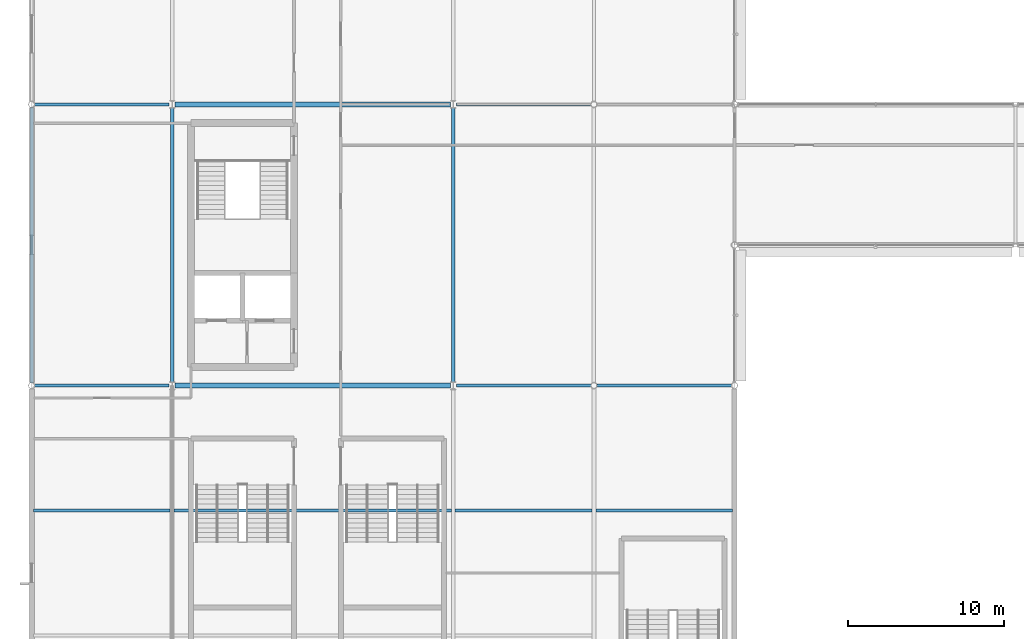
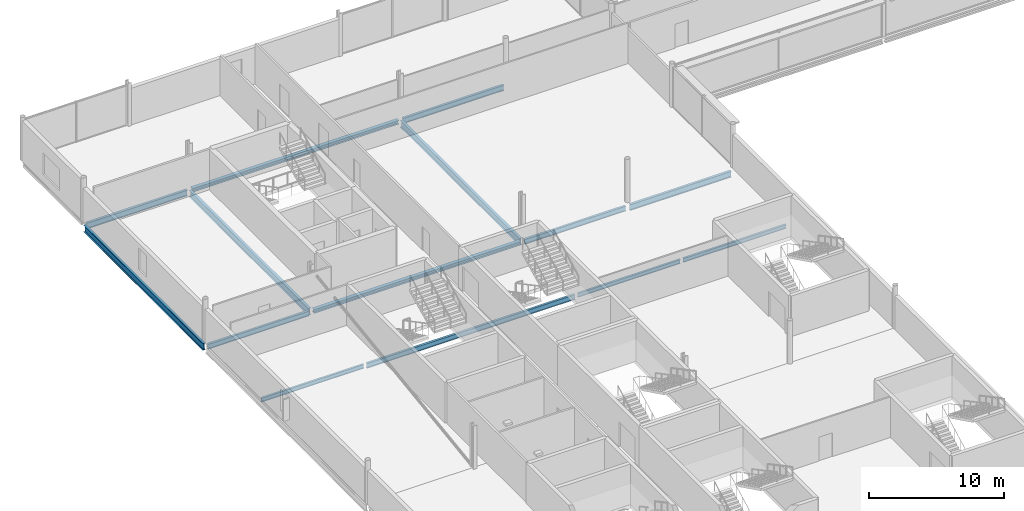
# One storey, part 30 of 96: 14 beams.
"""IFC4 building model written with IfcOpenShell, lengths in metres."""

from ifc_helpers import new_model, si_unit, direction, frame, origin, origin_2d, place, context, subcontext, project, spatial, i_section, extrude, material, material_profile, profile_set, type_object, element, save


model = new_model("IFC4")

# Units and contexts
model_context = context("Model", 3, precision=1e-05, world=origin(), true_north=direction((0.0, 1.0)))
body_context = subcontext(model_context, "Body", "Model", "MODEL_VIEW")
ifc_project = project(units=[si_unit("LENGTHUNIT", "METRE"), si_unit("AREAUNIT", "SQUARE_METRE"), si_unit("VOLUMEUNIT", "CUBIC_METRE"), si_unit("PLANEANGLEUNIT", "RADIAN"), si_unit("MASSUNIT", "GRAM", prefix="KILO")], contexts=[model_context])

# Site, building, storey
site_placement = place(None, origin())
site = spatial("IfcSite", under=ifc_project, at=site_placement, CompositionType="ELEMENT")
building_placement = place(site_placement, origin())
building = spatial("IfcBuilding", under=site, at=building_placement, Name="Kisiwana Market Hall", CompositionType="ELEMENT")
storey_placement = place(building_placement, frame((0.0, 0.0, 25.5)))
storey = spatial("IfcBuildingStorey", under=building, at=storey_placement, Name="L05", CompositionType="ELEMENT", Elevation=25.5)

# Beams
ifc_material_1 = material(Name="Steel S355", Category="steel")
ifc_material_profile_1 = material_profile(ifc_material_1, i_section(OverallWidth=0.199951171875, OverallDepth=0.5, WebThickness=0.01025390625, FlangeThickness=0.01611328125, FilletRadius=0.02099609375, at=origin_2d()), Name="IPE 500")
ifc_profile_set_1 = profile_set([ifc_material_profile_1], Name="Steel S355")
beam_type_1 = type_object("IfcBeamType", Name="BM-GIRD-IPE500", PredefinedType="BEAM", material=ifc_profile_set_1)
beam_1_placement = place(storey_placement, frame((27.193359375, 102.0, -0.56494140625), z_axis=(1.0, 0.0, 0.0), x_axis=(0.0, 1.0, 0.0)))
element("IfcBeam", 1, at=beam_1_placement, inside=storey, type_object=beam_type_1, Name="Floor beam B-1649", PredefinedType="BEAM", context=body_context, shape_type="SweptSolid", body=[
    extrude(i_section(OverallWidth=0.199951171875, OverallDepth=0.5, WebThickness=0.01025390625, FlangeThickness=0.01611328125, FilletRadius=0.02099609375, at=origin_2d()), origin(), (0.0, 0.0, 1.0), 8.624267578125),
])
ifc_material_2 = material(Name="Steel S355", Category="steel")
ifc_material_profile_2 = material_profile(ifc_material_2, i_section(OverallWidth=0.2099609375, OverallDepth=0.550048828125, WebThickness=0.010986328125, FlangeThickness=0.01708984375, FilletRadius=0.02392578125, at=origin_2d()), Name="IPE 550")
ifc_profile_set_2 = profile_set([ifc_material_profile_2], Name="Steel S355")
beam_type_2 = type_object("IfcBeamType", Name="BM-GIRD-IPE550", PredefinedType="BEAM", material=ifc_profile_set_2)
beam_2_placement = place(storey_placement, frame((36.182373046875, 84.0, -0.590087890625), z_axis=(1.0, 0.0, 0.0), x_axis=(0.0, 1.0, 0.0)))
element("IfcBeam", 2, at=beam_2_placement, inside=storey, type_object=beam_type_2, Name="Floor beam B-1636", PredefinedType="BEAM", context=body_context, shape_type="SweptSolid", body=[
    extrude(i_section(OverallWidth=0.2099609375, OverallDepth=0.550048828125, WebThickness=0.010986328125, FlangeThickness=0.01708984375, FilletRadius=0.02392578125, at=origin_2d()), origin(), (0.0, 0.0, 1.0), 8.63525390625),
])
ifc_material_3 = material(Name="Steel S355", Category="steel")
ifc_material_profile_3 = material_profile(ifc_material_3, i_section(OverallWidth=0.19140625, OverallDepth=0.4599609375, WebThickness=0.010009765625, FlangeThickness=0.01611328125, at=origin_2d()), Name="UB 457x191x82")
ifc_profile_set_3 = profile_set([ifc_material_profile_3], Name="Steel S355")
beam_type_3 = type_object("IfcBeamType", Name="BM-GIRD-UB082", PredefinedType="BEAM", material=ifc_profile_set_3)
beam_3_placement = place(storey_placement, frame((27.193359375, 84.0, -0.544921875), z_axis=(1.0, 0.0, 0.0), x_axis=(0.0, 1.0, 0.0)))
element("IfcBeam", 3, at=beam_3_placement, inside=storey, type_object=beam_type_3, Name="Floor beam B-1635", PredefinedType="BEAM", context=body_context, shape_type="SweptSolid", body=[
    extrude(i_section(OverallWidth=0.19140625, OverallDepth=0.4599609375, WebThickness=0.010009765625, FlangeThickness=0.01611328125, at=origin_2d()), origin(), (0.0, 0.0, 1.0), 8.624267578125),
])
ifc_material_4 = material(Name="Steel S355", Category="steel")
ifc_material_profile_4 = material_profile(ifc_material_4, i_section(OverallWidth=0.210693359375, OverallDepth=0.53955078125, WebThickness=0.01171875, FlangeThickness=0.018798828125, FilletRadius=0.0126953125, at=origin_2d()), Name="UB 533x210x109")
ifc_profile_set_4 = profile_set([ifc_material_profile_4], Name="Steel S355")
beam_type_4 = type_object("IfcBeamType", Name="BM-GIRD-UB109", PredefinedType="BEAM", material=ifc_profile_set_4)
beam_4_placement = place(storey_placement, frame((0.182373046875, 102.0, -0.584716796875), z_axis=(1.0, 0.0, 0.0), x_axis=(0.0, 1.0, 0.0)))
element("IfcBeam", 4, at=beam_4_placement, inside=storey, type_object=beam_type_4, Name="Floor beam B-1647", PredefinedType="BEAM", context=body_context, shape_type="SweptSolid", body=[
    extrude(i_section(OverallWidth=0.210693359375, OverallDepth=0.53955078125, WebThickness=0.01171875, FlangeThickness=0.018798828125, FilletRadius=0.0126953125, at=origin_2d()), origin(), (0.0, 0.0, 1.0), 8.624267578125),
])
ifc_material_5 = material(Name="Steel S355", Category="steel")
ifc_material_profile_5 = material_profile(ifc_material_5, i_section(OverallWidth=0.19140625, OverallDepth=0.4599609375, WebThickness=0.010009765625, FlangeThickness=0.01611328125, at=origin_2d()), Name="UB 457x191x82")
ifc_profile_set_5 = profile_set([ifc_material_profile_5], Name="Steel S355")
beam_type_5 = type_object("IfcBeamType", Name="BM-GIRD-UB457H", PredefinedType="BEAM", material=ifc_profile_set_5)
beam_5_placement = place(storey_placement, frame((0.182373046875, 84.0, -0.544921875), z_axis=(1.0, 0.0, 0.0), x_axis=(0.0, 1.0, 0.0)))
element("IfcBeam", 5, at=beam_5_placement, inside=storey, type_object=beam_type_5, Name="Floor beam B-1633", PredefinedType="BEAM", context=body_context, shape_type="SweptSolid", body=[
    extrude(i_section(OverallWidth=0.19140625, OverallDepth=0.4599609375, WebThickness=0.010009765625, FlangeThickness=0.01611328125, at=origin_2d()), origin(), (0.0, 0.0, 1.0), 8.624267578125),
])
ifc_material_6 = material(Name="Steel S355", Category="steel")
ifc_material_profile_6 = material_profile(ifc_material_6, i_section(OverallWidth=0.22900390625, OverallDepth=0.6123046875, WebThickness=0.011962890625, FlangeThickness=0.01953125, at=origin_2d()), Name="UB 610x229x125")
ifc_profile_set_6 = profile_set([ifc_material_profile_6], Name="Steel S355")
beam_type_6 = type_object("IfcBeamType", Name="BM-GIRD-UB610H", PredefinedType="BEAM", material=ifc_profile_set_6)
beam_6_placement = place(storey_placement, frame((0.0, 84.18017578125, -0.62109375), z_axis=(0.0, 1.0, 0.0), x_axis=(-1.0, 0.0, 0.0)))
element("IfcBeam", 6, at=beam_6_placement, inside=storey, type_object=beam_type_6, Name="Floor beam B-1673", PredefinedType="BEAM", context=body_context, shape_type="SweptSolid", body=[
    extrude(i_section(OverallWidth=0.22900390625, OverallDepth=0.6123046875, WebThickness=0.011962890625, FlangeThickness=0.01953125, at=origin_2d()), origin(), (0.0, 0.0, 1.0), 17.6396484375),
])
for number, where, z_axis, x_axis, name in (
    (7, (9.0, 84.1865234375, -0.62109375), (0.0, 1.0, 0.0), (-1.0, 0.0, 0.0), "Primary girder B-1525"),
    (8, (27.0, 84.1865234375, -0.62109375), (0.0, 1.0, 0.0), (-1.0, 0.0, 0.0), "Primary girder B-1529"),
):
    element("IfcBeam", number, at=place(storey_placement, frame(where, z_axis=z_axis, x_axis=x_axis)), inside=storey, type_object=beam_type_6, Name=name, PredefinedType="BEAM", context=body_context, shape_type="SweptSolid", body=[
        extrude(i_section(OverallWidth=0.22900390625, OverallDepth=0.6123046875, WebThickness=0.011962890625, FlangeThickness=0.01953125, at=origin_2d()), origin(), (0.0, 0.0, 1.0), 17.626953125),
    ])
ifc_material_7 = material(Name="Steel S355", Category="steel")
ifc_material_profile_7 = material_profile(ifc_material_7, i_section(OverallWidth=0.17138671875, OverallDepth=0.35498046875, WebThickness=0.00732421875, FlangeThickness=0.011474609375, at=origin_2d()), Name="UB 356x171x51")
ifc_profile_set_7 = profile_set([ifc_material_profile_7], Name="Steel S355")
beam_type_7 = type_object("IfcBeamType", Name="BM-JOIST-UB356", PredefinedType="JOIST", material=ifc_profile_set_7)
for number, where, z_axis, x_axis, name in (
    (9, (0.113525390625, 76.0, -0.492431640625), (1.0, 0.0, 0.0), (0.0, 1.0, 0.0), "Secondary floor joist B-1587"),
    (10, (27.113525390625, 76.0, -0.492431640625), (1.0, 0.0, 0.0), (0.0, 1.0, 0.0), "Secondary floor joist B-1589"),
    (11, (36.125732421875, 76.0, -0.492431640625), (1.0, 0.0, 0.0), (0.0, 1.0, 0.0), "Secondary floor joist B-1590"),
):
    element("IfcBeam", number, at=place(storey_placement, frame(where, z_axis=z_axis, x_axis=x_axis)), inside=storey, type_object=beam_type_7, Name=name, PredefinedType="JOIST", context=body_context, shape_type="SweptSolid", body=[
        extrude(i_section(OverallWidth=0.17138671875, OverallDepth=0.35498046875, WebThickness=0.00732421875, FlangeThickness=0.011474609375, at=origin_2d()), origin(), (0.0, 0.0, 1.0), 8.7607421875),
    ])
ifc_material_8 = material(Name="Steel S355", Category="steel")
ifc_material_profile_8 = material_profile(ifc_material_8, i_section(OverallWidth=0.18994140625, OverallDepth=0.453369140625, WebThickness=0.008544921875, FlangeThickness=0.0126953125, at=origin_2d()), Name="UB 457x191x67")
ifc_profile_set_8 = profile_set([ifc_material_profile_8], Name="Steel S355")
beam_type_8 = type_object("IfcBeamType", Name="BM-JOIST-UB457", PredefinedType="JOIST", material=ifc_profile_set_8)
beam_7_placement = place(storey_placement, frame((9.125732421875, 76.0, -0.541748046875), z_axis=(1.0, 0.0, 0.0), x_axis=(0.0, 1.0, 0.0)))
element("IfcBeam", 12, at=beam_7_placement, inside=storey, type_object=beam_type_8, Name="Secondary floor joist B-1588", PredefinedType="JOIST", context=body_context, shape_type="SweptSolid", body=[
    extrude(i_section(OverallWidth=0.18994140625, OverallDepth=0.453369140625, WebThickness=0.008544921875, FlangeThickness=0.0126953125, at=origin_2d()), origin(), (0.0, 0.0, 1.0), 17.7607421875),
])
ifc_material_9 = material(Name="Steel S355", Category="steel")
ifc_material_profile_9 = material_profile(ifc_material_9, i_section(OverallWidth=0.314453125, OverallDepth=0.33984375, WebThickness=0.01904296875, FlangeThickness=0.031494140625, at=origin_2d()), Name="UC 305x305x198")
ifc_profile_set_9 = profile_set([ifc_material_profile_9], Name="Steel S355")
beam_type_9 = type_object("IfcBeamType", Name="BM-SKYBR-CHORD", PredefinedType="BEAM", material=ifc_profile_set_9)
for number, where, z_axis, x_axis, name in (
    (13, (9.193359375, 84.0, -0.48486328125), (1.0, 0.0, 0.0), (0.0, 1.0, 0.0), "Floor beam B-1634"),
    (14, (9.193359375, 102.0, -0.48486328125), (1.0, 0.0, 0.0), (0.0, 1.0, 0.0), "Floor beam B-1648"),
):
    element("IfcBeam", number, at=place(storey_placement, frame(where, z_axis=z_axis, x_axis=x_axis)), inside=storey, type_object=beam_type_9, Name=name, PredefinedType="BEAM", context=body_context, shape_type="SweptSolid", body=[
        extrude(i_section(OverallWidth=0.314453125, OverallDepth=0.33984375, WebThickness=0.01904296875, FlangeThickness=0.031494140625, at=origin_2d()), origin(), (0.0, 0.0, 1.0), 17.61328125),
    ])

save(model, "model.ifc")
